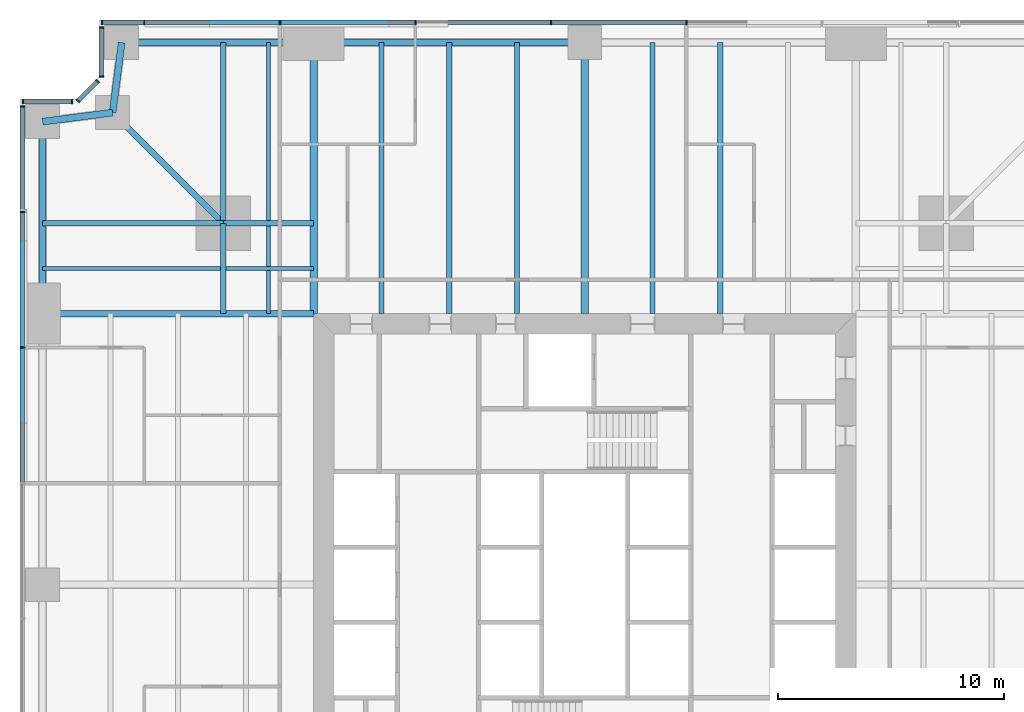
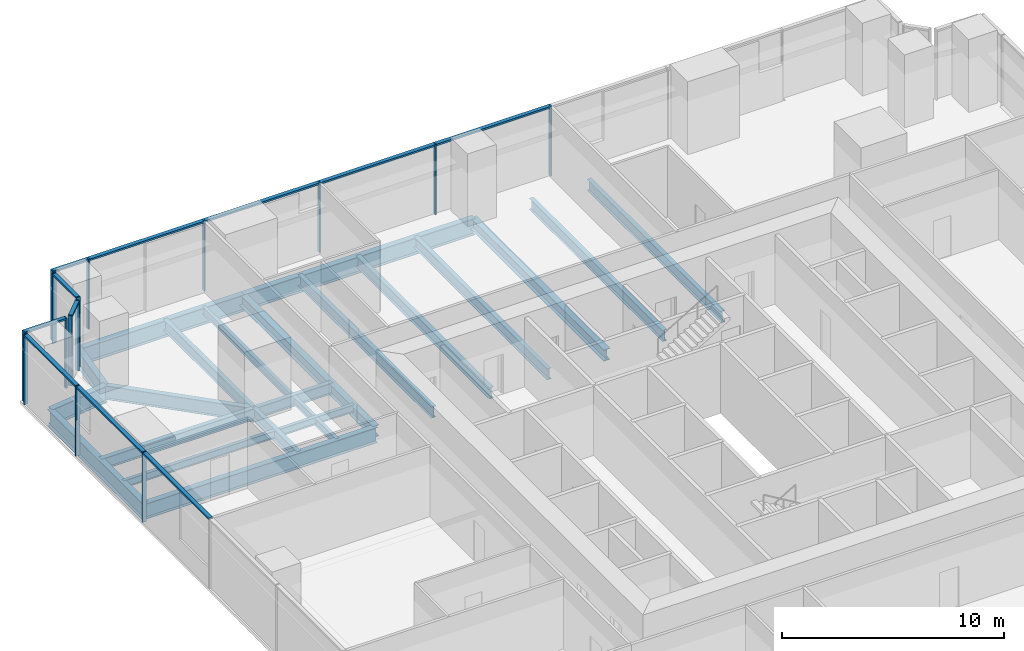
# One storey, part 6 of 15: 26 members, 23 beams, 5 elements without a shape of their own.
"""IFC4 building model written with IfcOpenShell, lengths in metres."""

from ifc_helpers import new_model, si_unit, direction, frame, origin, origin_2d, place, context, subcontext, project, spatial, rectangle, i_section, extrude, material, material_profile, profile_set, type_object, element, aggregate, save


model = new_model("IFC4")

# Units and contexts
model_context = context("Model", 3, precision=1e-05, world=origin(), true_north=direction((0.0, 1.0)))
body_context = subcontext(model_context, "Body", "Model", "MODEL_VIEW")
ifc_project = project(units=[si_unit("LENGTHUNIT", "METRE"), si_unit("AREAUNIT", "SQUARE_METRE"), si_unit("VOLUMEUNIT", "CUBIC_METRE"), si_unit("PLANEANGLEUNIT", "RADIAN"), si_unit("MASSUNIT", "GRAM", prefix="KILO")], contexts=[model_context])

# Site, building, storey
site_placement = place(None, origin())
site = spatial("IfcSite", under=ifc_project, at=site_placement, CompositionType="ELEMENT")
building_placement = place(site_placement, origin())
building = spatial("IfcBuilding", under=site, at=building_placement, Name="Fenwick Lantern Interchange", CompositionType="ELEMENT")
storey_placement = place(building_placement, frame((0.0, 0.0, 51.0)))
storey = spatial("IfcBuildingStorey", under=building, at=storey_placement, Name="L11", CompositionType="ELEMENT", Elevation=51.0)

# Beams
ifc_material_1 = material(Name="Steel ASTM A992 Grade 50", Category="steel")
ifc_material_profile_1 = material_profile(ifc_material_1, i_section(OverallWidth=0.3046875, OverallDepth=0.911865234375, WebThickness=0.015869140625, FlangeThickness=0.02392578125, at=origin_2d()), Name="W36X150")
ifc_profile_set_1 = profile_set([ifc_material_profile_1], Name="Steel ASTM A992 Grade 50")
beam_type_1 = type_object("IfcBeamType", Name="EDGE BEAM W36X150", PredefinedType="SPANDREL", material=ifc_profile_set_1)
beam_1_placement = place(storey_placement, frame((25.0, 49.0, -0.60595703125), z_axis=(-1.0, 0.0, 0.0), x_axis=(0.0, -1.0, 0.0)))
element("IfcBeam", 1, at=beam_1_placement, inside=storey, type_object=beam_type_1, Name="L11/FR/N/EB3", PredefinedType="SPANDREL", context=body_context, shape_type="SweptSolid", body=[
    extrude(i_section(OverallWidth=0.3046875, OverallDepth=0.911865234375, WebThickness=0.015869140625, FlangeThickness=0.02392578125, at=origin_2d()), origin(), (0.0, 0.0, 1.0), 12.0),
])
beam_2_placement = place(storey_placement, frame((13.0, 49.0, -0.60595703125), z_axis=(-1.0, 0.0, 0.0), x_axis=(0.0, -1.0, 0.0)))
element("IfcBeam", 2, at=beam_2_placement, inside=storey, type_object=beam_type_1, Name="L11/FR/N/EB4", PredefinedType="SPANDREL", context=body_context, shape_type="SweptSolid", body=[
    extrude(i_section(OverallWidth=0.3046875, OverallDepth=0.911865234375, WebThickness=0.015869140625, FlangeThickness=0.02392578125, at=origin_2d()), origin(), (0.0, 0.0, 1.0), 8.5),
])
for number, where, z_axis, x_axis, name in (
    (3, (4.5, 49.0, -0.60595703125), (-0.127936641807, -0.991782342897, 0.0), (0.991782342897, -0.127936641807, 0.0), "L11/FR/N/EBR1"),
    (4, (4.10009765625, 45.89990234375, -0.60595703125), (-0.991782342897, -0.127936641807, 0.0), (0.127936641807, -0.991782342897, 0.0), "L11/FR/N/EBR2"),
):
    element("IfcBeam", number, at=place(storey_placement, frame(where, z_axis=z_axis, x_axis=x_axis)), inside=storey, type_object=beam_type_1, Name=name, PredefinedType="SPANDREL", context=body_context, shape_type="SweptSolid", body=[
        extrude(i_section(OverallWidth=0.3046875, OverallDepth=0.911865234375, WebThickness=0.015869140625, FlangeThickness=0.02392578125, at=origin_2d()), origin(), (0.0, 0.0, 1.0), 3.125732421875),
    ])
beam_3_placement = place(storey_placement, frame((1.0, 45.5, -0.60595703125), z_axis=(0.0, -1.0, 0.0), x_axis=(1.0, 0.0, 0.0)))
element("IfcBeam", 5, at=beam_3_placement, inside=storey, type_object=beam_type_1, Name="L11/FR/W/EB1", PredefinedType="SPANDREL", context=body_context, shape_type="SweptSolid", body=[
    extrude(i_section(OverallWidth=0.3046875, OverallDepth=0.911865234375, WebThickness=0.015869140625, FlangeThickness=0.02392578125, at=origin_2d()), origin(), (0.0, 0.0, 1.0), 8.5),
])
ifc_material_profile_2 = material_profile(ifc_material_1, i_section(OverallWidth=0.22900390625, OverallDepth=0.612060546875, WebThickness=0.011962890625, FlangeThickness=0.01953125, at=origin_2d()), Name="W24X84")
ifc_profile_set_2 = profile_set([ifc_material_profile_2], Name="Steel ASTM A992 Grade 50")
beam_type_2 = type_object("IfcBeamType", Name="FLOOR BEAM W24X84", PredefinedType="BEAM", material=ifc_profile_set_2)
for number, where, z_axis, x_axis, name in (
    (6, (31.0, 49.0, -0.4560546875), (0.0, -1.0, 0.0), (1.0, 0.0, 0.0), "L11/FR/N/R03"),
    (7, (28.0, 49.0, -0.4560546875), (0.0, -1.0, 0.0), (1.0, 0.0, 0.0), "L11/FR/N/R04"),
    (8, (22.0, 49.0, -0.4560546875), (0.0, -1.0, 0.0), (1.0, 0.0, 0.0), "L11/FR/N/R06"),
    (9, (19.0, 49.0, -0.4560546875), (0.0, -1.0, 0.0), (1.0, 0.0, 0.0), "L11/FR/N/R07"),
    (10, (16.0, 49.0, -0.4560546875), (0.0, -1.0, 0.0), (1.0, 0.0, 0.0), "L11/FR/N/R08"),
):
    element("IfcBeam", number, at=place(storey_placement, frame(where, z_axis=z_axis, x_axis=x_axis)), inside=storey, type_object=beam_type_2, Name=name, PredefinedType="BEAM", context=body_context, shape_type="SweptSolid", body=[
        extrude(i_section(OverallWidth=0.22900390625, OverallDepth=0.612060546875, WebThickness=0.011962890625, FlangeThickness=0.01953125, at=origin_2d()), origin(), (0.0, 0.0, 1.0), 12.0),
    ])
ifc_material_profile_3 = material_profile(ifc_material_1, i_section(OverallWidth=0.177734375, OverallDepth=0.406494140625, WebThickness=0.0078125, FlangeThickness=0.012939453125, at=origin_2d()), Name="W16X40")
ifc_profile_set_3 = profile_set([ifc_material_profile_3], Name="Steel ASTM A992 Grade 50")
beam_type_3 = type_object("IfcBeamType", Name="INFILL BEAM W16X40", PredefinedType="JOIST", material=ifc_profile_set_3)
beam_4_placement = place(storey_placement, frame((1.0, 39.0, -0.353271484375), z_axis=(1.0, 0.0, 0.0), x_axis=(0.0, 1.0, 0.0)))
element("IfcBeam", 11, at=beam_4_placement, inside=storey, type_object=beam_type_3, Name="L11/FR/W/J1", PredefinedType="JOIST", context=body_context, shape_type="SweptSolid", body=[
    extrude(i_section(OverallWidth=0.177734375, OverallDepth=0.406494140625, WebThickness=0.0078125, FlangeThickness=0.012939453125, at=origin_2d()), origin(), (0.0, 0.0, 1.0), 7.885498046875),
])
beam_5_placement = place(storey_placement, frame((9.114501953125, 39.0, -0.353271484375), z_axis=(1.0, 0.0, 0.0), x_axis=(0.0, 1.0, 0.0)))
element("IfcBeam", 12, at=beam_5_placement, inside=storey, type_object=beam_type_3, Name="L11/FR/W/J2", PredefinedType="JOIST", context=body_context, shape_type="SweptSolid", body=[
    extrude(i_section(OverallWidth=0.177734375, OverallDepth=0.406494140625, WebThickness=0.0078125, FlangeThickness=0.012939453125, at=origin_2d()), origin(), (0.0, 0.0, 1.0), 3.885498046875),
])
beam_6_placement = place(storey_placement, frame((11.0, 49.0, -0.353271484375), z_axis=(0.0, -1.0, 0.0), x_axis=(1.0, 0.0, 0.0)))
element("IfcBeam", 13, at=beam_6_placement, inside=storey, type_object=beam_type_3, Name="L11/FR/W/J3", PredefinedType="JOIST", context=body_context, shape_type="SweptSolid", body=[
    extrude(i_section(OverallWidth=0.177734375, OverallDepth=0.406494140625, WebThickness=0.0078125, FlangeThickness=0.012939453125, at=origin_2d()), origin(), (0.0, 0.0, 1.0), 7.885498046875),
])
beam_7_placement = place(storey_placement, frame((11.0, 40.885498046875, -0.353271484375), z_axis=(0.0, -1.0, 0.0), x_axis=(1.0, 0.0, 0.0)))
element("IfcBeam", 14, at=beam_7_placement, inside=storey, type_object=beam_type_3, Name="L11/FR/W/J4", PredefinedType="JOIST", context=body_context, shape_type="SweptSolid", body=[
    extrude(i_section(OverallWidth=0.177734375, OverallDepth=0.406494140625, WebThickness=0.0078125, FlangeThickness=0.012939453125, at=origin_2d()), origin(), (0.0, 0.0, 1.0), 1.796630859375),
])
beam_8_placement = place(storey_placement, frame((11.0, 38.9111328125, -0.353271484375), z_axis=(0.0, -1.0, 0.0), x_axis=(1.0, 0.0, 0.0)))
element("IfcBeam", 15, at=beam_8_placement, inside=storey, type_object=beam_type_3, Name="L11/FR/W/J5", PredefinedType="JOIST", context=body_context, shape_type="SweptSolid", body=[
    extrude(i_section(OverallWidth=0.177734375, OverallDepth=0.406494140625, WebThickness=0.0078125, FlangeThickness=0.012939453125, at=origin_2d()), origin(), (0.0, 0.0, 1.0), 1.9111328125),
])
ifc_material_profile_4 = material_profile(ifc_material_1, i_section(OverallWidth=0.22900390625, OverallDepth=0.612060546875, WebThickness=0.011962890625, FlangeThickness=0.01953125, at=origin_2d()), Name="W24X84")
ifc_profile_set_4 = profile_set([ifc_material_profile_4], Name="Steel ASTM A992 Grade 50")
beam_type_4 = type_object("IfcBeamType", Name="MEGA COLUMN BEAM W24X84", PredefinedType="BEAM", material=ifc_profile_set_4)
for number, where, z_axis, x_axis, name in (
    (16, (9.0, 41.0, -0.4560546875), (-1.0, 0.0, 0.0), (0.0, -1.0, 0.0), "L11/FR/W/MB1"),
    (17, (9.0, 41.0, -0.4560546875), (0.0, 1.0, 0.0), (-1.0, 0.0, 0.0), "L11/FR/W/MB2"),
):
    element("IfcBeam", number, at=place(storey_placement, frame(where, z_axis=z_axis, x_axis=x_axis)), inside=storey, type_object=beam_type_4, Name=name, PredefinedType="BEAM", context=body_context, shape_type="SweptSolid", body=[
        extrude(i_section(OverallWidth=0.22900390625, OverallDepth=0.612060546875, WebThickness=0.011962890625, FlangeThickness=0.01953125, at=origin_2d()), origin(), (0.0, 0.0, 1.0), 8.0),
    ])
for number, where, z_axis, x_axis, name in (
    (18, (9.0, 41.0, -0.4560546875), (0.0, -1.0, 0.0), (1.0, 0.0, 0.0), "L11/FR/W/MB3"),
    (19, (9.0, 41.0, -0.4560546875), (1.0, 0.0, 0.0), (0.0, 1.0, 0.0), "L11/FR/W/MB4"),
):
    element("IfcBeam", number, at=place(storey_placement, frame(where, z_axis=z_axis, x_axis=x_axis)), inside=storey, type_object=beam_type_4, Name=name, PredefinedType="BEAM", context=body_context, shape_type="SweptSolid", body=[
        extrude(i_section(OverallWidth=0.22900390625, OverallDepth=0.612060546875, WebThickness=0.011962890625, FlangeThickness=0.01953125, at=origin_2d()), origin(), (0.0, 0.0, 1.0), 4.0),
    ])
ifc_material_profile_5 = material_profile(ifc_material_1, i_section(OverallWidth=0.32763671875, OverallDepth=0.622314453125, WebThickness=0.015380859375, FlangeThickness=0.0244140625, at=origin_2d()), Name="W24X131")
ifc_profile_set_5 = profile_set([ifc_material_profile_5], Name="Steel ASTM A992 Grade 50")
beam_type_5 = type_object("IfcBeamType", Name="MOMENT-CONNECTED GIRDER W24X131", PredefinedType="BEAM", material=ifc_profile_set_5)
for number, where, z_axis, x_axis, name in (
    (20, (25.0, 49.0, -0.461181640625), (0.0, -1.0, 0.0), (1.0, 0.0, 0.0), "L11/FR/N/R05"),
    (21, (13.0, 49.0, -0.461181640625), (0.0, -1.0, 0.0), (1.0, 0.0, 0.0), "L11/FR/N/R09"),
):
    element("IfcBeam", number, at=place(storey_placement, frame(where, z_axis=z_axis, x_axis=x_axis)), inside=storey, type_object=beam_type_5, Name=name, PredefinedType="BEAM", context=body_context, shape_type="SweptSolid", body=[
        extrude(i_section(OverallWidth=0.32763671875, OverallDepth=0.622314453125, WebThickness=0.015380859375, FlangeThickness=0.0244140625, at=origin_2d()), origin(), (0.0, 0.0, 1.0), 12.0),
    ])
ifc_material_profile_6 = material_profile(ifc_material_1, i_section(OverallWidth=0.2919921875, OverallDepth=0.845703125, WebThickness=0.015380859375, FlangeThickness=0.0244140625, at=origin_2d()), Name="W33X141")
ifc_profile_set_6 = profile_set([ifc_material_profile_6], Name="Steel ASTM A992 Grade 50")
beam_type_6 = type_object("IfcBeamType", Name="MOMENT-CONNECTED GIRDER W33X141", PredefinedType="BEAM", material=ifc_profile_set_6)
beam_9_placement = place(storey_placement, frame((1.0, 37.0, -0.572998046875), z_axis=(1.0, 0.0, 0.0), x_axis=(0.0, 1.0, 0.0)))
element("IfcBeam", 22, at=beam_9_placement, inside=storey, type_object=beam_type_6, Name="L11/FR/W/R01", PredefinedType="BEAM", context=body_context, shape_type="SweptSolid", body=[
    extrude(i_section(OverallWidth=0.2919921875, OverallDepth=0.845703125, WebThickness=0.015380859375, FlangeThickness=0.0244140625, at=origin_2d()), origin(), (0.0, 0.0, 1.0), 12.0),
])
ifc_material_profile_7 = material_profile(ifc_material_1, i_section(OverallWidth=0.2666015625, OverallDepth=0.7568359375, WebThickness=0.013916015625, FlangeThickness=0.019287109375, at=origin_2d()), Name="W30X108")
ifc_profile_set_7 = profile_set([ifc_material_profile_7], Name="Steel ASTM A992 Grade 50")
beam_type_7 = type_object("IfcBeamType", Name="NOTCH BEAM W30X108", PredefinedType="BEAM", material=ifc_profile_set_7)
beam_10_placement = place(storey_placement, frame((9.0, 41.0, -0.528564453125), z_axis=(-0.707106781187, 0.707106781187, 0.0), x_axis=(-0.707106781187, -0.707106781187, 0.0)))
element("IfcBeam", 23, at=beam_10_placement, inside=storey, type_object=beam_type_7, Name="L11/FR/W/TG", PredefinedType="BEAM", context=body_context, shape_type="SweptSolid", body=[
    extrude(i_section(OverallWidth=0.2666015625, OverallDepth=0.7568359375, WebThickness=0.013916015625, FlangeThickness=0.019287109375, at=origin_2d()), origin(), (0.0, 0.0, 1.0), 6.929443359375),
])

# Curtain wall, members
ifc_material_2 = material(Name="Aluminium curtain wall frame", Category="aluminium")
curtain_wall_type = type_object("IfcCurtainWallType", Name="OFFICE CURTAIN WALL", PredefinedType="USERDEFINED", material=ifc_material_2)
curtain_wall_1_placement = place(storey_placement, origin())
curtain_wall_1 = element("IfcCurtainWall", 24, at=curtain_wall_1_placement, inside=storey, type_object=curtain_wall_type, Name="Office curtain wall 09", ObjectType="OFFICE CURTAIN WALL", PredefinedType="USERDEFINED")
ifc_material_3 = material(Name="Aluminium extrusion", Category="aluminium")
ifc_material_profile_8 = material_profile(ifc_material_3, rectangle(XDim=0.199951171875, YDim=0.06494140625, at=origin_2d()), Name="OFFICE CURTAIN WALL MULLION 65 X 200")
ifc_profile_set_8 = profile_set([ifc_material_profile_8], Name="Aluminium extrusion")
member_type_1 = type_object("IfcMemberType", Name="OFFICE CURTAIN WALL MULLION 65 X 200", PredefinedType="MULLION", material=ifc_profile_set_8)
member_1_placement = place(storey_placement, frame((29.5, 49.89990234375, 0.0), z_axis=(0.0, 0.0, 1.0), x_axis=(0.0, -1.0, 0.0)))
member_1 = element("IfcMember", 25, at=member_1_placement, type_object=member_type_1, Name="L11/CW/09/M03", PredefinedType="MULLION", context=body_context, shape_type="SweptSolid", body=[
    extrude(rectangle(XDim=0.199951171875, YDim=0.06494140625, at=origin_2d()), origin(), (0.0, 0.0, 1.0), 3.85009765625),
])
member_2_placement = place(storey_placement, frame((23.5, 49.89990234375, 0.0), z_axis=(0.0, 0.0, 1.0), x_axis=(0.0, -1.0, 0.0)))
member_2 = element("IfcMember", 26, at=member_2_placement, type_object=member_type_1, Name="L11/CW/09/M04", PredefinedType="MULLION", context=body_context, shape_type="SweptSolid", body=[
    extrude(rectangle(XDim=0.199951171875, YDim=0.06494140625, at=origin_2d()), origin(), (0.0, 0.0, 1.0), 3.85009765625),
])
member_3_placement = place(storey_placement, frame((17.5, 49.89990234375, 0.0), z_axis=(0.0, 0.0, 1.0), x_axis=(0.0, -1.0, 0.0)))
member_3 = element("IfcMember", 27, at=member_3_placement, type_object=member_type_1, Name="L11/CW/09/M05", PredefinedType="MULLION", context=body_context, shape_type="SweptSolid", body=[
    extrude(rectangle(XDim=0.199951171875, YDim=0.06494140625, at=origin_2d()), origin(), (0.0, 0.0, 1.0), 3.85009765625),
])
member_4_placement = place(storey_placement, frame((11.5, 49.89990234375, 0.0), z_axis=(0.0, 0.0, 1.0), x_axis=(0.0, -1.0, 0.0)))
member_4 = element("IfcMember", 28, at=member_4_placement, type_object=member_type_1, Name="L11/CW/09/M06", PredefinedType="MULLION", context=body_context, shape_type="SweptSolid", body=[
    extrude(rectangle(XDim=0.199951171875, YDim=0.06494140625, at=origin_2d()), origin(), (0.0, 0.0, 1.0), 3.85009765625),
])
member_5_placement = place(storey_placement, frame((5.5, 49.89990234375, 0.0), z_axis=(0.0, 0.0, 1.0), x_axis=(0.0, -1.0, 0.0)))
member_5 = element("IfcMember", 29, at=member_5_placement, type_object=member_type_1, Name="L11/CW/09/M07", PredefinedType="MULLION", context=body_context, shape_type="SweptSolid", body=[
    extrude(rectangle(XDim=0.199951171875, YDim=0.06494140625, at=origin_2d()), origin(), (0.0, 0.0, 1.0), 3.85009765625),
])
member_6_placement = place(storey_placement, frame((3.632568359375, 49.89990234375, 0.0), z_axis=(0.0, 0.0, 1.0), x_axis=(0.0, -1.0, 0.0)))
member_6 = element("IfcMember", 30, at=member_6_placement, type_object=member_type_1, Name="L11/CW/09/M08", PredefinedType="MULLION", context=body_context, shape_type="SweptSolid", body=[
    extrude(rectangle(XDim=0.199951171875, YDim=0.06494140625, at=origin_2d()), origin(), (0.0, 0.0, 1.0), 3.85009765625),
])

curtain_wall_2_placement = place(storey_placement, origin())
curtain_wall_2 = element("IfcCurtainWall", 31, at=curtain_wall_2_placement, inside=storey, type_object=curtain_wall_type, Name="Office curtain wall 10", ObjectType="OFFICE CURTAIN WALL", PredefinedType="USERDEFINED")
member_7_placement = place(storey_placement, frame((3.60009765625, 49.66748046875, 0.0), z_axis=(0.0, 0.0, 1.0), x_axis=(1.0, 0.0, 0.0)))
member_7 = element("IfcMember", 32, at=member_7_placement, type_object=member_type_1, Name="L11/CW/10/M00", PredefinedType="MULLION", context=body_context, shape_type="SweptSolid", body=[
    extrude(rectangle(XDim=0.199951171875, YDim=0.06494140625, at=origin_2d()), origin(), (0.0, 0.0, 1.0), 3.85009765625),
])
member_8_placement = place(storey_placement, frame((3.60009765625, 47.490966796875, 0.0), z_axis=(0.0, 0.0, 1.0), x_axis=(1.0, 0.0, 0.0)))
member_8 = element("IfcMember", 33, at=member_8_placement, type_object=member_type_1, Name="L11/CW/10/M01", PredefinedType="MULLION", context=body_context, shape_type="SweptSolid", body=[
    extrude(rectangle(XDim=0.199951171875, YDim=0.06494140625, at=origin_2d()), origin(), (0.0, 0.0, 1.0), 3.85009765625),
])

curtain_wall_3_placement = place(storey_placement, origin())
curtain_wall_3 = element("IfcCurtainWall", 34, at=curtain_wall_3_placement, inside=storey, type_object=curtain_wall_type, Name="Office curtain wall 11", ObjectType="OFFICE CURTAIN WALL", PredefinedType="USERDEFINED")
member_9_placement = place(storey_placement, frame((3.435546875, 47.294189453125, 0.0), z_axis=(0.0, 0.0, 1.0), x_axis=(0.707106781187, -0.707106781187, 0.0)))
member_9 = element("IfcMember", 35, at=member_9_placement, type_object=member_type_1, Name="L11/CW/11/M00", PredefinedType="MULLION", context=body_context, shape_type="SweptSolid", body=[
    extrude(rectangle(XDim=0.199951171875, YDim=0.06494140625, at=origin_2d()), origin(), (0.0, 0.0, 1.0), 3.85009765625),
])
member_10_placement = place(storey_placement, frame((2.564453125, 46.423095703125, 0.0), z_axis=(0.0, 0.0, 1.0), x_axis=(0.707106781187, -0.707106781187, 0.0)))
member_10 = element("IfcMember", 36, at=member_10_placement, type_object=member_type_1, Name="L11/CW/11/M01", PredefinedType="MULLION", context=body_context, shape_type="SweptSolid", body=[
    extrude(rectangle(XDim=0.199951171875, YDim=0.06494140625, at=origin_2d()), origin(), (0.0, 0.0, 1.0), 3.85009765625),
])

curtain_wall_4_placement = place(storey_placement, origin())
curtain_wall_4 = element("IfcCurtainWall", 37, at=curtain_wall_4_placement, inside=storey, type_object=curtain_wall_type, Name="Office curtain wall 12", ObjectType="OFFICE CURTAIN WALL", PredefinedType="USERDEFINED")
member_11_placement = place(storey_placement, frame((2.308837890625, 46.39990234375, 0.0), z_axis=(0.0, 0.0, 1.0), x_axis=(0.0, -1.0, 0.0)))
member_11 = element("IfcMember", 38, at=member_11_placement, type_object=member_type_1, Name="L11/CW/12/M00", PredefinedType="MULLION", context=body_context, shape_type="SweptSolid", body=[
    extrude(rectangle(XDim=0.199951171875, YDim=0.06494140625, at=origin_2d()), origin(), (0.0, 0.0, 1.0), 3.85009765625),
])
member_12_placement = place(storey_placement, frame((0.132568359375, 46.39990234375, 0.0), z_axis=(0.0, 0.0, 1.0), x_axis=(0.0, -1.0, 0.0)))
member_12 = element("IfcMember", 39, at=member_12_placement, type_object=member_type_1, Name="L11/CW/12/M01", PredefinedType="MULLION", context=body_context, shape_type="SweptSolid", body=[
    extrude(rectangle(XDim=0.199951171875, YDim=0.06494140625, at=origin_2d()), origin(), (0.0, 0.0, 1.0), 3.85009765625),
])

curtain_wall_5_placement = place(storey_placement, origin())
curtain_wall_5 = element("IfcCurtainWall", 40, at=curtain_wall_5_placement, inside=storey, type_object=curtain_wall_type, Name="Office curtain wall 13", ObjectType="OFFICE CURTAIN WALL", PredefinedType="USERDEFINED")
member_13_placement = place(storey_placement, frame((0.10009765625, 46.16748046875, 0.0), z_axis=(0.0, 0.0, 1.0), x_axis=(1.0, 0.0, 0.0)))
member_13 = element("IfcMember", 41, at=member_13_placement, type_object=member_type_1, Name="L11/CW/13/M00", PredefinedType="MULLION", context=body_context, shape_type="SweptSolid", body=[
    extrude(rectangle(XDim=0.199951171875, YDim=0.06494140625, at=origin_2d()), origin(), (0.0, 0.0, 1.0), 3.85009765625),
])
member_14_placement = place(storey_placement, frame((0.10009765625, 41.5, 0.0), z_axis=(0.0, 0.0, 1.0), x_axis=(1.0, 0.0, 0.0)))
member_14 = element("IfcMember", 42, at=member_14_placement, type_object=member_type_1, Name="L11/CW/13/M01", PredefinedType="MULLION", context=body_context, shape_type="SweptSolid", body=[
    extrude(rectangle(XDim=0.199951171875, YDim=0.06494140625, at=origin_2d()), origin(), (0.0, 0.0, 1.0), 3.85009765625),
])
member_15_placement = place(storey_placement, frame((0.10009765625, 35.5, 0.0), z_axis=(0.0, 0.0, 1.0), x_axis=(1.0, 0.0, 0.0)))
member_15 = element("IfcMember", 43, at=member_15_placement, type_object=member_type_1, Name="L11/CW/13/M02", PredefinedType="MULLION", context=body_context, shape_type="SweptSolid", body=[
    extrude(rectangle(XDim=0.199951171875, YDim=0.06494140625, at=origin_2d()), origin(), (0.0, 0.0, 1.0), 3.85009765625),
])

# Member
ifc_material_profile_9 = material_profile(ifc_material_3, rectangle(XDim=0.199951171875, YDim=0.10009765625, at=origin_2d()), Name="OFFICE CURTAIN WALL TRANSOM 100 X 200")
ifc_profile_set_9 = profile_set([ifc_material_profile_9], Name="Aluminium extrusion")
member_type_2 = type_object("IfcMemberType", Name="OFFICE CURTAIN WALL TRANSOM 100 X 200", PredefinedType="MULLION", material=ifc_profile_set_9)
member_16_placement = place(storey_placement, frame((29.467529296875, 49.89990234375, 3.800048828125), z_axis=(-1.0, 0.0, 0.0), x_axis=(0.0, -1.0, 0.0)))
member_16 = element("IfcMember", 44, at=member_16_placement, type_object=member_type_2, Name="L11/CW/09/T03", PredefinedType="MULLION", context=body_context, shape_type="SweptSolid", body=[
    extrude(rectangle(XDim=0.199951171875, YDim=0.10009765625, at=origin_2d()), origin(), (0.0, 0.0, 1.0), 5.93505859375),
])

member_17_placement = place(storey_placement, frame((23.467529296875, 49.89990234375, 3.800048828125), z_axis=(-1.0, 0.0, 0.0), x_axis=(0.0, -1.0, 0.0)))
member_17 = element("IfcMember", 45, at=member_17_placement, type_object=member_type_2, Name="L11/CW/09/T04", PredefinedType="MULLION", context=body_context, shape_type="SweptSolid", body=[
    extrude(rectangle(XDim=0.199951171875, YDim=0.10009765625, at=origin_2d()), origin(), (0.0, 0.0, 1.0), 5.93505859375),
])

member_18_placement = place(storey_placement, frame((17.467529296875, 49.89990234375, 3.800048828125), z_axis=(-1.0, 0.0, 0.0), x_axis=(0.0, -1.0, 0.0)))
member_18 = element("IfcMember", 46, at=member_18_placement, type_object=member_type_2, Name="L11/CW/09/T05", PredefinedType="MULLION", context=body_context, shape_type="SweptSolid", body=[
    extrude(rectangle(XDim=0.199951171875, YDim=0.10009765625, at=origin_2d()), origin(), (0.0, 0.0, 1.0), 5.93505859375),
])

member_19_placement = place(storey_placement, frame((11.467529296875, 49.89990234375, 3.800048828125), z_axis=(-1.0, 0.0, 0.0), x_axis=(0.0, -1.0, 0.0)))
member_19 = element("IfcMember", 47, at=member_19_placement, type_object=member_type_2, Name="L11/CW/09/T06", PredefinedType="MULLION", context=body_context, shape_type="SweptSolid", body=[
    extrude(rectangle(XDim=0.199951171875, YDim=0.10009765625, at=origin_2d()), origin(), (0.0, 0.0, 1.0), 5.93505859375),
])

member_20_placement = place(storey_placement, frame((5.467529296875, 49.89990234375, 3.800048828125), z_axis=(-1.0, 0.0, 0.0), x_axis=(0.0, -1.0, 0.0)))
member_20 = element("IfcMember", 48, at=member_20_placement, type_object=member_type_2, Name="L11/CW/09/T07", PredefinedType="MULLION", context=body_context, shape_type="SweptSolid", body=[
    extrude(rectangle(XDim=0.199951171875, YDim=0.10009765625, at=origin_2d()), origin(), (0.0, 0.0, 1.0), 1.802490234375),
])

aggregate(curtain_wall_1, [member_1, member_2, member_3, member_4, member_5, member_6, member_16, member_17, member_18, member_19, member_20])

member_21_placement = place(storey_placement, frame((3.60009765625, 49.635009765625, 3.800048828125), z_axis=(0.0, -1.0, 0.0), x_axis=(1.0, 0.0, 0.0)))
member_21 = element("IfcMember", 49, at=member_21_placement, type_object=member_type_2, Name="L11/CW/10/T00", PredefinedType="MULLION", context=body_context, shape_type="SweptSolid", body=[
    extrude(rectangle(XDim=0.199951171875, YDim=0.10009765625, at=origin_2d()), origin(), (0.0, 0.0, 1.0), 2.111328125),
])

aggregate(curtain_wall_2, [member_7, member_8, member_21])

member_22_placement = place(storey_placement, frame((3.41259765625, 47.271240234375, 3.800048828125), z_axis=(-0.707106781187, -0.707106781187, 0.0), x_axis=(0.707106781187, -0.707106781187, 0.0)))
member_22 = element("IfcMember", 50, at=member_22_placement, type_object=member_type_2, Name="L11/CW/11/T00", PredefinedType="MULLION", context=body_context, shape_type="SweptSolid", body=[
    extrude(rectangle(XDim=0.199951171875, YDim=0.10009765625, at=origin_2d()), origin(), (0.0, 0.0, 1.0), 1.1669921875),
])

aggregate(curtain_wall_3, [member_9, member_10, member_22])

member_23_placement = place(storey_placement, frame((2.2763671875, 46.39990234375, 3.800048828125), z_axis=(-1.0, 0.0, 0.0), x_axis=(0.0, -1.0, 0.0)))
member_23 = element("IfcMember", 51, at=member_23_placement, type_object=member_type_2, Name="L11/CW/12/T00", PredefinedType="MULLION", context=body_context, shape_type="SweptSolid", body=[
    extrude(rectangle(XDim=0.199951171875, YDim=0.10009765625, at=origin_2d()), origin(), (0.0, 0.0, 1.0), 2.111328125),
])

aggregate(curtain_wall_4, [member_11, member_12, member_23])

member_24_placement = place(storey_placement, frame((0.10009765625, 46.135009765625, 3.800048828125), z_axis=(0.0, -1.0, 0.0), x_axis=(1.0, 0.0, 0.0)))
member_24 = element("IfcMember", 52, at=member_24_placement, type_object=member_type_2, Name="L11/CW/13/T00", PredefinedType="MULLION", context=body_context, shape_type="SweptSolid", body=[
    extrude(rectangle(XDim=0.199951171875, YDim=0.10009765625, at=origin_2d()), origin(), (0.0, 0.0, 1.0), 4.6025390625),
])

member_25_placement = place(storey_placement, frame((0.10009765625, 41.467529296875, 3.800048828125), z_axis=(0.0, -1.0, 0.0), x_axis=(1.0, 0.0, 0.0)))
member_25 = element("IfcMember", 53, at=member_25_placement, type_object=member_type_2, Name="L11/CW/13/T01", PredefinedType="MULLION", context=body_context, shape_type="SweptSolid", body=[
    extrude(rectangle(XDim=0.199951171875, YDim=0.10009765625, at=origin_2d()), origin(), (0.0, 0.0, 1.0), 5.93505859375),
])

member_26_placement = place(storey_placement, frame((0.10009765625, 35.467529296875, 3.800048828125), z_axis=(0.0, -1.0, 0.0), x_axis=(1.0, 0.0, 0.0)))
member_26 = element("IfcMember", 54, at=member_26_placement, type_object=member_type_2, Name="L11/CW/13/T02", PredefinedType="MULLION", context=body_context, shape_type="SweptSolid", body=[
    extrude(rectangle(XDim=0.199951171875, YDim=0.10009765625, at=origin_2d()), origin(), (0.0, 0.0, 1.0), 5.93505859375),
])

aggregate(curtain_wall_5, [member_13, member_14, member_15, member_24, member_25, member_26])

save(model, "model.ifc")
